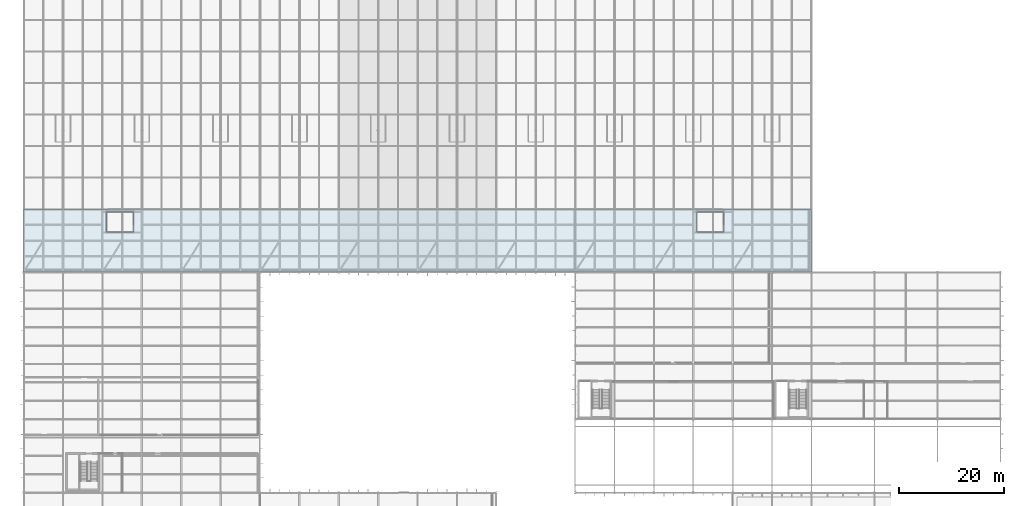
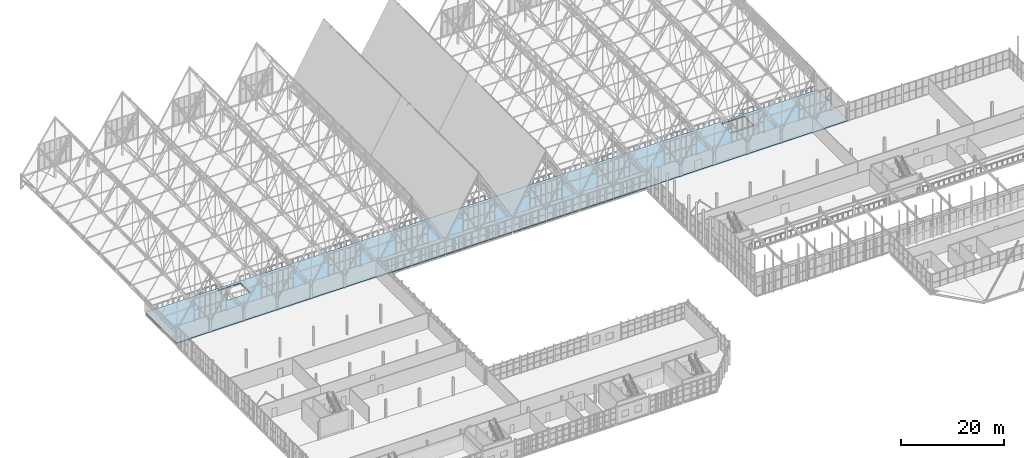
# One storey, part 277 of 324: 1 slab.
"""IFC4 building model written with IfcOpenShell, lengths in metres."""

from ifc_helpers import new_model, si_unit, direction, frame, origin, place, context, subcontext, project, spatial, polyline, outline, extrude, material, layer, layer_set, type_object, element, save


model = new_model("IFC4")

# Units and contexts
model_context = context("Model", 3, precision=1e-05, world=origin(), true_north=direction((0.0, 1.0)))
body_context = subcontext(model_context, "Body", "Model", "MODEL_VIEW")
ifc_project = project(units=[si_unit("LENGTHUNIT", "METRE"), si_unit("AREAUNIT", "SQUARE_METRE"), si_unit("VOLUMEUNIT", "CUBIC_METRE"), si_unit("PLANEANGLEUNIT", "RADIAN"), si_unit("MASSUNIT", "GRAM", prefix="KILO")], contexts=[model_context])

# Site, building, storey
site_placement = place(None, origin())
site = spatial("IfcSite", under=ifc_project, at=site_placement, CompositionType="ELEMENT")
building_placement = place(site_placement, origin())
building = spatial("IfcBuilding", under=site, at=building_placement, Name="Solvenia Promenade Tram Depot", CompositionType="ELEMENT")
storey_placement = place(building_placement, frame((0.0, 0.0, 4.5)))
storey = spatial("IfcBuildingStorey", under=building, at=storey_placement, Name="L01", CompositionType="ELEMENT", Elevation=4.5)

# Slab
ifc_material = material(Name="Concrete C28/35", Category="concrete")
ifc_layer = layer(ifc_material, 0.219970703125, Name="Concrete C28/35", Category="concrete")
ifc_layer_set = layer_set([ifc_layer], Name="Concrete C28/35")
slab_type = type_object("IfcSlabType", Name="Slab-Floor-220", PredefinedType="FLOOR", material=ifc_layer_set)
slab_placement = place(storey_placement, frame((0.0, 0.0, -0.219970703125)))
element("IfcSlab", 1, at=slab_placement, inside=storey, type_object=slab_type, Name="L01 V1 Structural Slab", PredefinedType="FLOOR", context=body_context, shape_type="SweptSolid", body=[
    extrude(outline(polyline([(0.0, 66.0), (150.0, 66.0), (150.0, 78.0), (0.0, 78.0), (0.0, 66.0)]), holes=[polyline([(15.800048828125, 77.39990234375), (20.889892578125, 77.39990234375), (20.889892578125, 73.60009765625), (15.800048828125, 73.60009765625), (15.800048828125, 77.39990234375)]), polyline([(128.199951171875, 77.39990234375), (133.2900390625, 77.39990234375), (133.2900390625, 73.60009765625), (128.199951171875, 73.60009765625), (128.199951171875, 77.39990234375)])]), origin(), (0.0, 0.0, 1.0), 0.219970703125),
])

save(model, "model.ifc")
